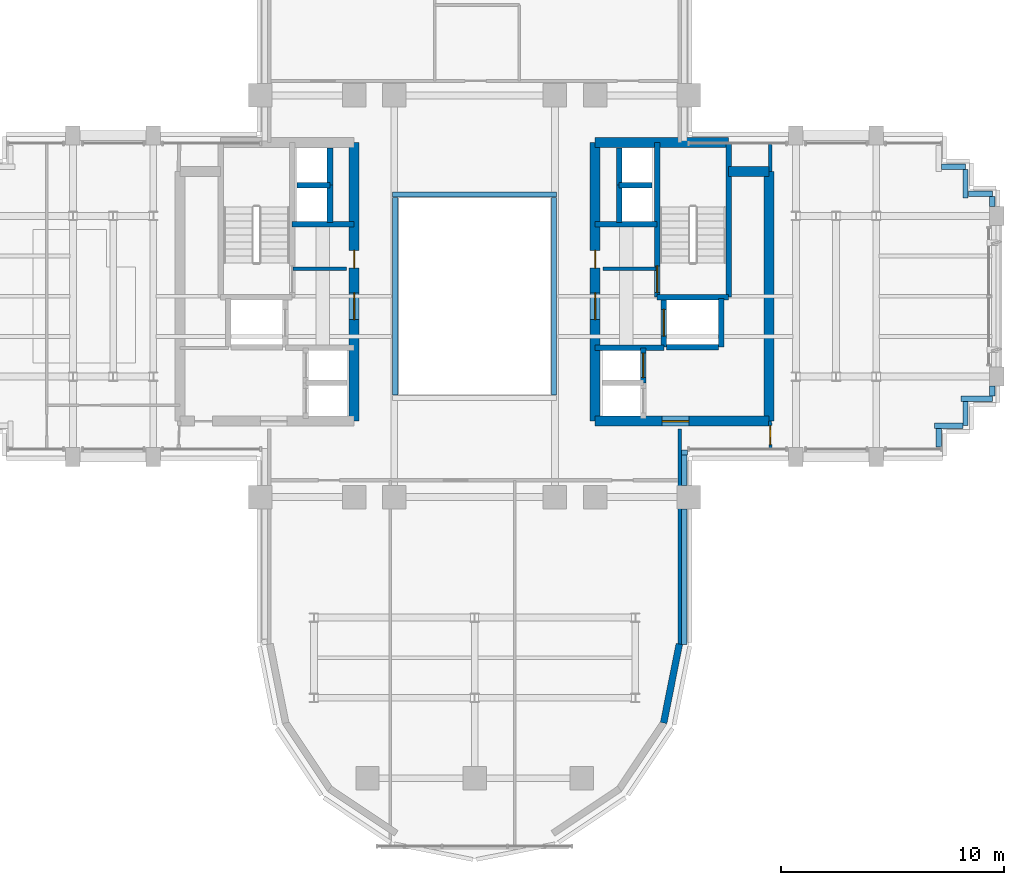
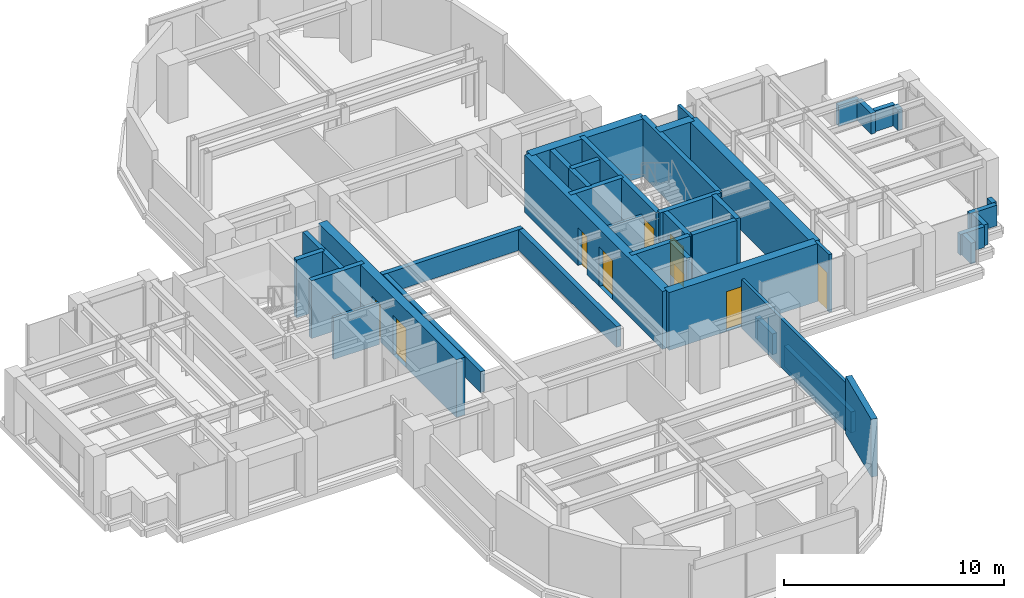
# One storey, part 9 of 13: 43 walls, 9 doors, 9 openings.
"""IFC4 building model written with IfcOpenShell, lengths in metres."""

from ifc_helpers import new_model, si_unit, direction, frame, frame_2d, origin, place, context, subcontext, project, spatial, rectangle, extrude, source, transform, mapped, material, layer, layer_set, type_object, element, fill, save


model = new_model("IFC4")

# Units and contexts
model_context = context("Model", 3, precision=1e-05, world=origin(), true_north=direction((0.0, 1.0)))
body_context = subcontext(model_context, "Body", "Model", "MODEL_VIEW")
ifc_project = project(units=[si_unit("LENGTHUNIT", "METRE"), si_unit("AREAUNIT", "SQUARE_METRE"), si_unit("VOLUMEUNIT", "CUBIC_METRE"), si_unit("PLANEANGLEUNIT", "RADIAN"), si_unit("MASSUNIT", "GRAM", prefix="KILO")], contexts=[model_context])

# Site, building, storey
site_placement = place(None, origin())
site = spatial("IfcSite", under=ifc_project, at=site_placement, CompositionType="ELEMENT")
building_placement = place(site_placement, origin())
building = spatial("IfcBuilding", under=site, at=building_placement, Name="Keilestroom Media Tower", CompositionType="ELEMENT")
storey_placement = place(building_placement, frame((0.0, 0.0, 141.39990234375)))
storey = spatial("IfcBuildingStorey", under=building, at=storey_placement, Name="L38", CompositionType="ELEMENT", Elevation=141.39990234375)

# Walls
ifc_material_1 = material(Name="Precast concrete C40/50", Category="concrete")
ifc_layer_1 = layer(ifc_material_1, 0.300048828125)
ifc_layer_set_1 = layer_set([ifc_layer_1], Name="Precast concrete C40/50")
wall_type_1 = type_object("IfcWallType", Name="Exterior-Masonry-Spandrel-Wall-300", PredefinedType="SOLIDWALL", material=ifc_layer_set_1)
wall_1_placement = place(storey_placement, frame((8.470703125, -19.12451171875, 0.0), z_axis=(0.0, 0.0, 1.0), x_axis=(0.195114232679, 0.980780523974, 0.0)))
element("IfcWall", 1, at=wall_1_placement, inside=storey, type_object=wall_type_1, Name="L38 Lobe Facet Precast Frame Wall 12", PredefinedType="SOLIDWALL", context=body_context, shape_type="SweptSolid", body=[
    extrude(rectangle(XDim=3.608642578125, YDim=0.300048828125, at=frame_2d((1.80419921875, 0.0))), origin(), (0.0, 0.0, 1.0), 3.2001953125),
])
ifc_material_2 = material(Name="Gypsum Plasterboard & Steel Stud", Category="steel")
ifc_layer_2 = layer(ifc_material_2, 0.14990234375)
ifc_layer_set_2 = layer_set([ifc_layer_2], Name="Gypsum Plasterboard & Steel Stud")
wall_type_2 = type_object("IfcWallType", Name="Interior-Partition-Wall-150", PredefinedType="PARTITIONING", material=ifc_layer_set_2)
for number, where, z_axis, x_axis, name in (
    (2, (-8.139892578125, 1.239990234375, 0.0), (0.0, 0.0, 1.0), (1.0, 0.0, 0.0), "L38 Interior Wall WP-L38-FFW-TOP"),
    (3, (5.75, 1.239990234375, 0.0), (0.0, 0.0, 1.0), (1.0, 0.0, 0.0), "L38 Interior Wall WP-L38-FFE-TOP"),
):
    element("IfcWall", number, at=place(storey_placement, frame(where, z_axis=z_axis, x_axis=x_axis)), inside=storey, type_object=wall_type_2, Name=name, PredefinedType="PARTITIONING", context=body_context, shape_type="SweptSolid", body=[
        extrude(rectangle(XDim=2.389892578125, YDim=0.14990234375, at=frame_2d((1.19482421875, 0.0))), origin(), (0.0, 0.0, 1.0), 2.300048828125),
    ])
wall_2_placement = place(storey_placement, frame((9.199951171875, -15.679931640625, 0.0), z_axis=(0.0, 0.0, 1.0), x_axis=(0.0, 1.0, 0.0)))
element("IfcWall", 4, at=wall_2_placement, inside=storey, type_object=wall_type_2, Name="L38 Interior Wall WP-L38-SL-CHKE", PredefinedType="PARTITIONING", context=body_context, shape_type="SweptSolid", body=[
    extrude(rectangle(XDim=9.739990234375, YDim=0.14990234375, at=frame_2d((4.8701171875, 0.0))), origin(), (0.0, 0.0, 1.0), 2.7001953125),
])
wall_3_placement = place(storey_placement, frame((13.260009765625, 5.60009765625, 0.0), z_axis=(0.0, 0.0, 1.0), x_axis=(-0.016013571389, 0.999871774545, 0.0)))
element("IfcWall", 5, at=wall_3_placement, inside=storey, type_object=wall_type_2, Name="L38 Interior Wall WP-L38-EA-ENTN", PredefinedType="PARTITIONING", context=body_context, shape_type="SweptSolid", body=[
    extrude(rectangle(XDim=1.250244140625, YDim=0.14990234375, at=frame_2d((0.625, 0.0))), origin(), (0.0, 0.0, 1.0), 3.2001953125),
])

# Wall, opening, door
wall_4_placement = place(storey_placement, frame((13.260009765625, -6.85009765625, 0.0), z_axis=(0.0, 0.0, 1.0), x_axis=(-0.016013571389, 0.999871774545, 0.0)))
wall_4 = element("IfcWall", 6, at=wall_4_placement, inside=storey, type_object=wall_type_2, Name="L38 Interior Wall WP-L38-EA-ENTS", PredefinedType="PARTITIONING", context=body_context, shape_type="SweptSolid", body=[
    extrude(rectangle(XDim=1.250244140625, YDim=0.14990234375, at=frame_2d((0.625, 0.0))), origin(), (0.0, 0.0, 1.0), 3.2001953125),
])
opening_1_placement = place(wall_4_placement, frame((0.199951171875, 0.0, 0.0)))
opening_1 = element("IfcOpeningElement", 7, at=opening_1_placement, cuts=wall_4, Name="Opening DI-05", PredefinedType="OPENING", context=body_context, shape_type="SweptSolid", body=[
    extrude(rectangle(XDim=0.85009765625, YDim=2.10009765625, at=frame_2d((0.425048828125, 1.050048828125))), frame((0.0, 0.0849609375, 0.0), z_axis=(0.0, -1.0, 0.0), x_axis=(1.0, 0.0, 0.0)), (0.0, 0.0, 1.0), 0.169921875),
])
ifc_material_3 = material(Name="Moisture-Resistant Oak Leaf", Category="wood")
door_type_1 = type_object("IfcDoorType", Name="Interior-En-Suite-And-Cupboard-Door-DI-05", OperationType="NOTDEFINED", PredefinedType="DOOR", material=ifc_material_3)
shared_shape_1 = source(origin(), body_context, "Body", "SweptSolid", [
    extrude(rectangle(XDim=0.85009765625, YDim=2.10009765625, at=frame_2d((0.425048828125, 1.050048828125))), frame((0.0, 0.02490234375, 0.0), z_axis=(0.0, -1.0, 0.0), x_axis=(1.0, 0.0, 0.0)), (0.0, 0.0, 1.0), 0.050048828125),
])
door_1_placement = place(opening_1_placement, origin())
door_1 = element("IfcDoor", 8, at=door_1_placement, inside=storey, type_object=door_type_1, Name="L38 Interior Door DI-L38-DEA-S", OperationType="SINGLE_SWING_LEFT", OverallHeight=2.10009765625, OverallWidth=0.85009765625, PredefinedType="DOOR", context=body_context, shape_type="MappedRepresentation", body=[
    mapped(shared_shape_1, transform((0.0, 0.0, 0.0), x_axis=(1.0, 0.0, 0.0), y_axis=(0.0, 1.0, 0.0), z_axis=(0.0, 0.0, 1.0), scale=1.0)),
])
fill(opening_1, door_1)

# Wall, openings, doors
ifc_material_4 = material(Name="Concrete C55/67", Category="concrete")
ifc_layer_3 = layer(ifc_material_4, 0.449951171875)
ifc_layer_set_3 = layer_set([ifc_layer_3], Name="Concrete C55/67")
wall_type_3 = type_object("IfcWallType", Name="Reinforced-Concrete-Core-Shear-Wall-450", PredefinedType="SHEAR", material=ifc_layer_set_3)
wall_5_placement = place(storey_placement, frame((-5.39990234375, -5.60009765625, 0.0), z_axis=(0.0, 0.0, 1.0), x_axis=(0.0, 1.0, 0.0)))
wall_5 = element("IfcWall", 9, at=wall_5_placement, inside=storey, type_object=wall_type_3, Name="L38 Core Shear Wall WL-L38-CORE-W-IN", PredefinedType="SHEAR", context=body_context, shape_type="SweptSolid", body=[
    extrude(rectangle(XDim=12.5, YDim=0.449951171875, at=frame_2d((6.25, 0.0))), origin(), (0.0, 0.0, 1.0), 3.2001953125),
])
opening_2_placement = place(wall_5_placement, frame((4.550048828125, 0.0, 0.0)))
opening_2 = element("IfcOpeningElement", 10, at=opening_2_placement, cuts=wall_5, Name="Opening DI-02", PredefinedType="OPENING", context=body_context, shape_type="SweptSolid", body=[
    extrude(rectangle(XDim=1.199951171875, YDim=2.199951171875, at=frame_2d((0.60009765625, 1.10009765625))), frame((0.0, 0.23486328125, 0.0), z_axis=(0.0, -1.0, 0.0), x_axis=(1.0, 0.0, 0.0)), (0.0, 0.0, 1.0), 0.469970703125),
])
opening_3_placement = place(wall_5_placement, frame((6.860107421875, 0.0, 0.0)))
opening_3 = element("IfcOpeningElement", 11, at=opening_3_placement, cuts=wall_5, Name="Opening DI-06", PredefinedType="OPENING", context=body_context, shape_type="SweptSolid", body=[
    extrude(rectangle(XDim=0.800048828125, YDim=2.10009765625, at=frame_2d((0.39990234375, 1.050048828125))), frame((0.0, 0.23486328125, 0.0), z_axis=(0.0, -1.0, 0.0), x_axis=(1.0, 0.0, 0.0)), (0.0, 0.0, 1.0), 0.469970703125),
])
ifc_material_5 = material(Name="Powder-Coated Steel Fire Leaf", Category="steel")
door_type_2 = type_object("IfcDoorType", Name="Interior-Compartment-Fire-Door-DI-02", OperationType="NOTDEFINED", PredefinedType="DOOR", material=ifc_material_5)
shared_shape_2 = source(origin(), body_context, "Body", "SweptSolid", [
    extrude(rectangle(XDim=1.199951171875, YDim=2.199951171875, at=frame_2d((0.60009765625, 1.10009765625))), frame((0.0, 0.02490234375, 0.0), z_axis=(0.0, -1.0, 0.0), x_axis=(1.0, 0.0, 0.0)), (0.0, 0.0, 1.0), 0.050048828125),
])
door_2_placement = place(opening_2_placement, origin())
door_2 = element("IfcDoor", 12, at=door_2_placement, inside=storey, type_object=door_type_2, Name="L38 W Firefighting Lobby Door", OperationType="SINGLE_SWING_RIGHT", OverallHeight=2.199951171875, OverallWidth=1.199951171875, PredefinedType="DOOR", context=body_context, shape_type="MappedRepresentation", body=[
    mapped(shared_shape_2, transform((0.0, 0.0, 0.0), x_axis=(1.0, 0.0, 0.0), y_axis=(0.0, 1.0, 0.0), z_axis=(0.0, 0.0, 1.0), scale=1.0)),
])
fill(opening_2, door_2)
ifc_material_6 = material(Name="Powder-Coated Steel Service Leaf", Category="steel")
door_type_3 = type_object("IfcDoorType", Name="Interior-Riser-Access-Door-DI-06", OperationType="NOTDEFINED", PredefinedType="DOOR", material=ifc_material_6)
shared_shape_3 = source(origin(), body_context, "Body", "SweptSolid", [
    extrude(rectangle(XDim=0.800048828125, YDim=2.10009765625, at=frame_2d((0.39990234375, 1.050048828125))), frame((0.0, 0.02490234375, 0.0), z_axis=(0.0, -1.0, 0.0), x_axis=(1.0, 0.0, 0.0)), (0.0, 0.0, 1.0), 0.050048828125),
])
door_3_placement = place(opening_3_placement, origin())
door_3 = element("IfcDoor", 13, at=door_3_placement, inside=storey, type_object=door_type_3, Name="L38 West Core Switchroom Door", OperationType="SINGLE_SWING_LEFT", OverallHeight=2.10009765625, OverallWidth=0.800048828125, PredefinedType="DOOR", context=body_context, shape_type="MappedRepresentation", body=[
    mapped(shared_shape_3, transform((0.0, 0.0, 0.0), x_axis=(1.0, 0.0, 0.0), y_axis=(0.0, 1.0, 0.0), z_axis=(0.0, 0.0, 1.0), scale=1.0)),
])
fill(opening_3, door_3)

# Wall
wall_6_placement = place(storey_placement, frame((13.199951171875, -5.60009765625, 0.0), z_axis=(0.0, 0.0, 1.0), x_axis=(0.0, 1.0, 0.0)))
element("IfcWall", 14, at=wall_6_placement, inside=storey, type_object=wall_type_3, Name="L38 Core Shear Wall WL-L38-CORE-E-OUT", PredefinedType="SHEAR", context=body_context, shape_type="SweptSolid", body=[
    extrude(rectangle(XDim=11.2001953125, YDim=0.449951171875, at=frame_2d((5.60009765625, 0.0))), origin(), (0.0, 0.0, 1.0), 3.2001953125),
])

# Wall, openings, doors
wall_7_placement = place(storey_placement, frame((5.39990234375, -5.60009765625, 0.0), z_axis=(0.0, 0.0, 1.0), x_axis=(0.0, 1.0, 0.0)))
wall_7 = element("IfcWall", 15, at=wall_7_placement, inside=storey, type_object=wall_type_3, Name="L38 Core Shear Wall WL-L38-CORE-E-IN", PredefinedType="SHEAR", context=body_context, shape_type="SweptSolid", body=[
    extrude(rectangle(XDim=12.5, YDim=0.449951171875, at=frame_2d((6.25, 0.0))), origin(), (0.0, 0.0, 1.0), 3.2001953125),
])
opening_4_placement = place(wall_7_placement, frame((4.550048828125, 0.0, 0.0)))
opening_4 = element("IfcOpeningElement", 16, at=opening_4_placement, cuts=wall_7, Name="Opening DI-02", PredefinedType="OPENING", context=body_context, shape_type="SweptSolid", body=[
    extrude(rectangle(XDim=1.199951171875, YDim=2.199951171875, at=frame_2d((0.60009765625, 1.10009765625))), frame((0.0, 0.23486328125, 0.0), z_axis=(0.0, -1.0, 0.0), x_axis=(1.0, 0.0, 0.0)), (0.0, 0.0, 1.0), 0.469970703125),
])
opening_5_placement = place(wall_7_placement, frame((6.860107421875, 0.0, 0.0)))
opening_5 = element("IfcOpeningElement", 17, at=opening_5_placement, cuts=wall_7, Name="Opening DI-06", PredefinedType="OPENING", context=body_context, shape_type="SweptSolid", body=[
    extrude(rectangle(XDim=0.800048828125, YDim=2.10009765625, at=frame_2d((0.39990234375, 1.050048828125))), frame((0.0, 0.23486328125, 0.0), z_axis=(0.0, -1.0, 0.0), x_axis=(1.0, 0.0, 0.0)), (0.0, 0.0, 1.0), 0.469970703125),
])
door_4_placement = place(opening_4_placement, origin())
door_4 = element("IfcDoor", 18, at=door_4_placement, inside=storey, type_object=door_type_2, Name="L38 E Firefighting Lobby Door", OperationType="SINGLE_SWING_LEFT", OverallHeight=2.199951171875, OverallWidth=1.199951171875, PredefinedType="DOOR", context=body_context, shape_type="MappedRepresentation", body=[
    mapped(shared_shape_2, transform((0.0, 0.0, 0.0), x_axis=(1.0, 0.0, 0.0), y_axis=(0.0, 1.0, 0.0), z_axis=(0.0, 0.0, 1.0), scale=1.0)),
])
fill(opening_4, door_4)
door_5_placement = place(opening_5_placement, origin())
door_5 = element("IfcDoor", 19, at=door_5_placement, inside=storey, type_object=door_type_3, Name="L38 East Core Telecom Door", OperationType="SINGLE_SWING_RIGHT", OverallHeight=2.10009765625, OverallWidth=0.800048828125, PredefinedType="DOOR", context=body_context, shape_type="MappedRepresentation", body=[
    mapped(shared_shape_3, transform((0.0, 0.0, 0.0), x_axis=(1.0, 0.0, 0.0), y_axis=(0.0, 1.0, 0.0), z_axis=(0.0, 0.0, 1.0), scale=1.0)),
])
fill(opening_5, door_5)

# Walls
wall_8_placement = place(storey_placement, frame((5.39990234375, 6.89990234375, 0.0), z_axis=(0.0, 0.0, 1.0), x_axis=(1.0, 0.0, 0.0)))
element("IfcWall", 20, at=wall_8_placement, inside=storey, type_object=wall_type_3, Name="L38 Core Shear Wall WL-L38-CORE-E-N", PredefinedType="SHEAR", context=body_context, shape_type="SweptSolid", body=[
    extrude(rectangle(XDim=5.981201171875, YDim=0.449951171875, at=frame_2d((2.99072265625, 0.0))), origin(), (0.0, 0.0, 1.0), 3.2001953125),
])
wall_9_placement = place(storey_placement, frame((11.381103515625, 5.60009765625, 0.0), z_axis=(0.0, 0.0, 1.0), x_axis=(1.0, 0.0, 0.0)))
element("IfcWall", 21, at=wall_9_placement, inside=storey, type_object=wall_type_3, Name="L38 Core Shear Wall WL-L38-CNE-N", PredefinedType="SHEAR", context=body_context, shape_type="SweptSolid", body=[
    extrude(rectangle(XDim=1.81884765625, YDim=0.449951171875, at=frame_2d((0.909423828125, 0.0))), origin(), (0.0, 0.0, 1.0), 3.2001953125),
])

# Wall, opening, door
wall_10_placement = place(storey_placement, frame((5.39990234375, -5.60009765625, 0.0), z_axis=(0.0, 0.0, 1.0), x_axis=(1.0, 0.0, 0.0)))
wall_10 = element("IfcWall", 22, at=wall_10_placement, inside=storey, type_object=wall_type_3, Name="L38 Core Shear Wall WL-L38-CORE-E-S", PredefinedType="SHEAR", context=body_context, shape_type="SweptSolid", body=[
    extrude(rectangle(XDim=7.800048828125, YDim=0.449951171875, at=frame_2d((3.89990234375, 0.0))), origin(), (0.0, 0.0, 1.0), 3.2001953125),
])
opening_6_placement = place(wall_10_placement, frame((3.0, 0.0, 0.0)))
opening_6 = element("IfcOpeningElement", 23, at=opening_6_placement, cuts=wall_10, Name="Opening DI-02", PredefinedType="OPENING", context=body_context, shape_type="SweptSolid", body=[
    extrude(rectangle(XDim=1.199951171875, YDim=2.199951171875, at=frame_2d((0.60009765625, 1.10009765625))), frame((0.0, 0.23486328125, 0.0), z_axis=(0.0, -1.0, 0.0), x_axis=(1.0, 0.0, 0.0)), (0.0, 0.0, 1.0), 0.469970703125),
])
door_6_placement = place(opening_6_placement, origin())
door_6 = element("IfcDoor", 24, at=door_6_placement, inside=storey, type_object=door_type_2, Name="L38 E Passenger Lift Lobby Door", OperationType="SINGLE_SWING_RIGHT", OverallHeight=2.199951171875, OverallWidth=1.199951171875, PredefinedType="DOOR", context=body_context, shape_type="MappedRepresentation", body=[
    mapped(shared_shape_2, transform((0.0, 0.0, 0.0), x_axis=(1.0, 0.0, 0.0), y_axis=(0.0, 1.0, 0.0), z_axis=(0.0, 0.0, 1.0), scale=1.0)),
])
fill(opening_6, door_6)

# Walls
ifc_material_7 = material(Name="Concrete C50/60", Category="concrete")
ifc_layer_4 = layer(ifc_material_7, 0.25)
ifc_layer_set_4 = layer_set([ifc_layer_4], Name="Concrete C50/60")
wall_type_4 = type_object("IfcWallType", Name="Reinforced-Concrete-Shaft-Wall-250", PredefinedType="SOLIDWALL", material=ifc_layer_set_4)
for number, where, z_axis, x_axis, name in (
    (25, (-8.179931640625, 3.219970703125, 0.0), (0.0, 0.0, 1.0), (1.0, 0.0, 0.0), "L38 Core Shear Wall WL-L38-CORE-W-FFN"),
    (26, (5.39990234375, 3.219970703125, 0.0), (0.0, 0.0, 1.0), (1.0, 0.0, 0.0), "L38 Core Shear Wall WL-L38-CORE-E-FFN"),
):
    element("IfcWall", number, at=place(storey_placement, frame(where, z_axis=z_axis, x_axis=x_axis)), inside=storey, type_object=wall_type_4, Name=name, PredefinedType="SOLIDWALL", context=body_context, shape_type="SweptSolid", body=[
        extrude(rectangle(XDim=2.780029296875, YDim=0.25, at=frame_2d((1.39013671875, 0.0))), origin(), (0.0, 0.0, 1.0), 3.2001953125),
    ])
wall_11_placement = place(storey_placement, frame((5.39990234375, -2.300048828125, 0.0), z_axis=(0.0, 0.0, 1.0), x_axis=(1.0, 0.0, 0.0)))
element("IfcWall", 27, at=wall_11_placement, inside=storey, type_object=wall_type_4, Name="L38 Core Shear Wall WL-L38-CORE-E-FFS", PredefinedType="SOLIDWALL", context=body_context, shape_type="SweptSolid", body=[
    extrude(rectangle(XDim=3.080078125, YDim=0.25, at=frame_2d((1.5400390625, 0.0))), origin(), (0.0, 0.0, 1.0), 3.2001953125),
])

# Wall, opening, door
wall_12_placement = place(storey_placement, frame((8.178955078125, -0.041015625, 0.0), z_axis=(0.0, 0.0, 1.0), x_axis=(0.0, 1.0, 0.0)))
wall_12 = element("IfcWall", 28, at=wall_12_placement, inside=storey, type_object=wall_type_4, Name="L38 Core Shear Wall WL-L38-STW-E-NEAR", PredefinedType="SOLIDWALL", context=body_context, shape_type="SweptSolid", body=[
    extrude(rectangle(XDim=6.94091796875, YDim=0.25, at=frame_2d((3.470458984375, 0.0))), origin(), (0.0, 0.0, 1.0), 3.2001953125),
])
opening_7_placement = place(wall_12_placement, frame((0.199951171875, 0.0, 0.0)))
opening_7 = element("IfcOpeningElement", 29, at=opening_7_placement, cuts=wall_12, Name="Opening DI-01S", PredefinedType="OPENING", context=body_context, shape_type="SweptSolid", body=[
    extrude(rectangle(XDim=1.199951171875, YDim=2.199951171875, at=frame_2d((0.60009765625, 1.10009765625))), frame((0.0, 0.135009765625, 0.0), z_axis=(0.0, -1.0, 0.0), x_axis=(1.0, 0.0, 0.0)), (0.0, 0.0, 1.0), 0.27001953125),
])
door_type_4 = type_object("IfcDoorType", Name="Interior-Stair-And-Core-Fire-Door-DI-01", OperationType="NOTDEFINED", PredefinedType="DOOR", material=ifc_material_5)
door_7_placement = place(opening_7_placement, origin())
door_7 = element("IfcDoor", 30, at=door_7_placement, inside=storey, type_object=door_type_4, Name="L38 Escape Stair ST-2 Fire Door", OperationType="SINGLE_SWING_RIGHT", OverallHeight=2.199951171875, OverallWidth=1.199951171875, PredefinedType="DOOR", context=body_context, shape_type="MappedRepresentation", body=[
    mapped(shared_shape_2, transform((0.0, 0.0, 0.0), x_axis=(1.0, 0.0, 0.0), y_axis=(0.0, 1.0, 0.0), z_axis=(0.0, 0.0, 1.0), scale=1.0)),
])
fill(opening_7, door_7)

# Walls
wall_13_placement = place(storey_placement, frame((11.381103515625, -0.041015625, 0.0), z_axis=(0.0, 0.0, 1.0), x_axis=(0.0, 1.0, 0.0)))
element("IfcWall", 31, at=wall_13_placement, inside=storey, type_object=wall_type_4, Name="L38 Core Shear Wall WL-L38-STW-E-FAR", PredefinedType="SOLIDWALL", context=body_context, shape_type="SweptSolid", body=[
    extrude(rectangle(XDim=6.94091796875, YDim=0.25, at=frame_2d((3.470458984375, 0.0))), origin(), (0.0, 0.0, 1.0), 3.2001953125),
])
wall_14_placement = place(storey_placement, frame((8.178955078125, -0.041015625, 0.0), z_axis=(0.0, 0.0, 1.0), x_axis=(1.0, 0.0, 0.0)))
element("IfcWall", 32, at=wall_14_placement, inside=storey, type_object=wall_type_4, Name="L38 Core Shear Wall WL-L38-STW-E-S", PredefinedType="SOLIDWALL", context=body_context, shape_type="SweptSolid", body=[
    extrude(rectangle(XDim=3.2021484375, YDim=0.25, at=frame_2d((1.60107421875, 0.0))), origin(), (0.0, 0.0, 1.0), 3.2001953125),
])

# Wall, opening, door
wall_15_placement = place(storey_placement, frame((8.47998046875, -2.280029296875, 0.0), z_axis=(0.0, 0.0, 1.0), x_axis=(0.0, 1.0, 0.0)))
wall_15 = element("IfcWall", 33, at=wall_15_placement, inside=storey, type_object=wall_type_4, Name="L38 Core Shear Wall WL-L38-LSH-FFL-2-W", PredefinedType="SOLIDWALL", context=body_context, shape_type="SweptSolid", body=[
    extrude(rectangle(XDim=2.179931640625, YDim=0.25, at=frame_2d((1.08984375, 0.0))), origin(), (0.0, 0.0, 1.0), 3.2001953125),
])
opening_8_placement = place(wall_15_placement, frame((0.489990234375, 0.0, 0.0)))
opening_8 = element("IfcOpeningElement", 34, at=opening_8_placement, cuts=wall_15, Name="Opening LD-02", PredefinedType="OPENING", context=body_context, shape_type="SweptSolid", body=[
    extrude(rectangle(XDim=1.199951171875, YDim=2.199951171875, at=frame_2d((0.60009765625, 1.10009765625))), frame((0.0, 0.135009765625, 0.0), z_axis=(0.0, -1.0, 0.0), x_axis=(1.0, 0.0, 0.0)), (0.0, 0.0, 1.0), 0.27001953125),
])
ifc_material_8 = material(Name="Brushed Stainless Steel Sliding Leaf", Category="steel")
door_type_5 = type_object("IfcDoorType", Name="Lift-Landing-Sliding-Door-LD-02", OperationType="SLIDING_TO_RIGHT", PredefinedType="DOOR", material=ifc_material_8)
door_8_placement = place(opening_8_placement, origin())
door_8 = element("IfcDoor", 35, at=door_8_placement, inside=storey, type_object=door_type_5, Name="L38 Lift FFL-2 Landing Sliding Door", OperationType="SLIDING_TO_RIGHT", OverallHeight=2.199951171875, OverallWidth=1.199951171875, PredefinedType="DOOR", context=body_context, shape_type="MappedRepresentation", body=[
    mapped(shared_shape_2, transform((0.0, 0.0, 0.0), x_axis=(1.0, 0.0, 0.0), y_axis=(0.0, 1.0, 0.0), z_axis=(0.0, 0.0, 1.0), scale=1.0)),
])
fill(opening_8, door_8)

# Walls
wall_16_placement = place(storey_placement, frame((11.050048828125, -2.280029296875, 0.0), z_axis=(0.0, 0.0, 1.0), x_axis=(0.0, 1.0, 0.0)))
element("IfcWall", 36, at=wall_16_placement, inside=storey, type_object=wall_type_4, Name="L38 Core Shear Wall WL-L38-LSH-FFL-2-E", PredefinedType="SOLIDWALL", context=body_context, shape_type="SweptSolid", body=[
    extrude(rectangle(XDim=2.179931640625, YDim=0.25, at=frame_2d((1.08984375, 0.0))), origin(), (0.0, 0.0, 1.0), 3.2001953125),
])
wall_17_placement = place(storey_placement, frame((8.60888671875, -2.280029296875, 0.0), z_axis=(0.0, 0.0, 1.0), x_axis=(1.0, 0.0, 0.0)))
element("IfcWall", 37, at=wall_17_placement, inside=storey, type_object=wall_type_4, Name="L38 Core Shear Wall WL-L38-LSH-FFL-2-S", PredefinedType="SOLIDWALL", context=body_context, shape_type="SweptSolid", body=[
    extrude(rectangle(XDim=2.31201171875, YDim=0.25, at=frame_2d((1.156005859375, 0.0))), origin(), (0.0, 0.0, 1.0), 3.2001953125),
])

# Wall, opening, door
wall_18_placement = place(storey_placement, frame((7.56005859375, -3.8798828125, 0.0), z_axis=(0.0, 0.0, 1.0), x_axis=(0.0, 1.0, 0.0)))
wall_18 = element("IfcWall", 38, at=wall_18_placement, inside=storey, type_object=wall_type_4, Name="L38 Core Shear Wall WL-L38-LSH-PL-M4-E", PredefinedType="SOLIDWALL", context=body_context, shape_type="SweptSolid", body=[
    extrude(rectangle(XDim=1.559814453125, YDim=0.25, at=frame_2d((0.77978515625, 0.0))), origin(), (0.0, 0.0, 1.0), 3.2001953125),
])
opening_9_placement = place(wall_18_placement, frame((0.22998046875, 0.0, 0.0)))
opening_9 = element("IfcOpeningElement", 39, at=opening_9_placement, cuts=wall_18, Name="Opening LD-01", PredefinedType="OPENING", context=body_context, shape_type="SweptSolid", body=[
    extrude(rectangle(XDim=1.10009765625, YDim=2.199951171875, at=frame_2d((0.550048828125, 1.10009765625))), frame((0.0, 0.135009765625, 0.0), z_axis=(0.0, -1.0, 0.0), x_axis=(1.0, 0.0, 0.0)), (0.0, 0.0, 1.0), 0.27001953125),
])
door_type_6 = type_object("IfcDoorType", Name="Lift-Landing-Sliding-Door-LD-01", OperationType="SLIDING_TO_LEFT", PredefinedType="DOOR", material=ifc_material_8)
shared_shape_4 = source(origin(), body_context, "Body", "SweptSolid", [
    extrude(rectangle(XDim=1.10009765625, YDim=2.199951171875, at=frame_2d((0.550048828125, 1.10009765625))), frame((0.0, 0.02490234375, 0.0), z_axis=(0.0, -1.0, 0.0), x_axis=(1.0, 0.0, 0.0)), (0.0, 0.0, 1.0), 0.050048828125),
])
door_9_placement = place(opening_9_placement, origin())
door_9 = element("IfcDoor", 40, at=door_9_placement, inside=storey, type_object=door_type_6, Name="L38 Lift PL-M4 Landing Sliding Door", OperationType="SLIDING_TO_LEFT", OverallHeight=2.199951171875, OverallWidth=1.10009765625, PredefinedType="DOOR", context=body_context, shape_type="MappedRepresentation", body=[
    mapped(shared_shape_4, transform((0.0, 0.0, 0.0), x_axis=(1.0, 0.0, 0.0), y_axis=(0.0, 1.0, 0.0), z_axis=(0.0, 0.0, 1.0), scale=1.0)),
])
fill(opening_9, door_9)

# Walls
wall_19_placement = place(storey_placement, frame((-6.47998046875, 3.300048828125, 0.0), z_axis=(0.0, 0.0, 1.0), x_axis=(0.0, 1.0, 0.0)))
element("IfcWall", 41, at=wall_19_placement, inside=storey, type_object=wall_type_4, Name="L38 Core Shear Wall WL-L38-LSH-PL-H1-E", PredefinedType="SOLIDWALL", context=body_context, shape_type="SweptSolid", body=[
    extrude(rectangle(XDim=1.679931640625, YDim=0.25, at=frame_2d((0.83984375, 0.0))), origin(), (0.0, 0.0, 1.0), 3.2001953125),
])
wall_20_placement = place(storey_placement, frame((-7.949951171875, 4.97998046875, 0.0), z_axis=(0.0, 0.0, 1.0), x_axis=(1.0, 0.0, 0.0)))
element("IfcWall", 42, at=wall_20_placement, inside=storey, type_object=wall_type_4, Name="L38 Core Shear Wall WL-L38-LSH-PL-H1-N", PredefinedType="SOLIDWALL", context=body_context, shape_type="SweptSolid", body=[
    extrude(rectangle(XDim=1.469970703125, YDim=0.25, at=frame_2d((0.73486328125, 0.0))), origin(), (0.0, 0.0, 1.0), 3.2001953125),
])
wall_21_placement = place(storey_placement, frame((-6.47998046875, 4.97998046875, 0.0), z_axis=(0.0, 0.0, 1.0), x_axis=(0.0, 1.0, 0.0)))
element("IfcWall", 43, at=wall_21_placement, inside=storey, type_object=wall_type_4, Name="L38 Core Shear Wall WL-L38-LSH-PL-H2-E", PredefinedType="SOLIDWALL", context=body_context, shape_type="SweptSolid", body=[
    extrude(rectangle(XDim=1.669921875, YDim=0.25, at=frame_2d((0.8349609375, 0.0))), origin(), (0.0, 0.0, 1.0), 3.2001953125),
])
wall_22_placement = place(storey_placement, frame((6.47998046875, 3.300048828125, 0.0), z_axis=(0.0, 0.0, 1.0), x_axis=(0.0, 1.0, 0.0)))
element("IfcWall", 44, at=wall_22_placement, inside=storey, type_object=wall_type_4, Name="L38 Core Shear Wall WL-L38-LSH-PL-H3-W", PredefinedType="SOLIDWALL", context=body_context, shape_type="SweptSolid", body=[
    extrude(rectangle(XDim=1.679931640625, YDim=0.25, at=frame_2d((0.83984375, 0.0))), origin(), (0.0, 0.0, 1.0), 3.2001953125),
])
wall_23_placement = place(storey_placement, frame((6.47998046875, 4.97998046875, 0.0), z_axis=(0.0, 0.0, 1.0), x_axis=(1.0, 0.0, 0.0)))
element("IfcWall", 45, at=wall_23_placement, inside=storey, type_object=wall_type_4, Name="L38 Core Shear Wall WL-L38-LSH-PL-H3-N", PredefinedType="SOLIDWALL", context=body_context, shape_type="SweptSolid", body=[
    extrude(rectangle(XDim=1.469970703125, YDim=0.25, at=frame_2d((0.73486328125, 0.0))), origin(), (0.0, 0.0, 1.0), 3.2001953125),
])
wall_24_placement = place(storey_placement, frame((6.47998046875, 4.97998046875, 0.0), z_axis=(0.0, 0.0, 1.0), x_axis=(0.0, 1.0, 0.0)))
element("IfcWall", 46, at=wall_24_placement, inside=storey, type_object=wall_type_4, Name="L38 Core Shear Wall WL-L38-LSH-PL-H4-W", PredefinedType="SOLIDWALL", context=body_context, shape_type="SweptSolid", body=[
    extrude(rectangle(XDim=1.669921875, YDim=0.25, at=frame_2d((0.8349609375, 0.0))), origin(), (0.0, 0.0, 1.0), 3.2001953125),
])
ifc_layer_5 = layer(ifc_material_1, 0.239990234375)
ifc_layer_set_5 = layer_set([ifc_layer_5], Name="Precast concrete C40/50")
wall_type_5 = type_object("IfcWallType", Name="Roof-And-Terrace-Parapet-Wall-240", PredefinedType="PARAPET", material=ifc_layer_set_5)
wall_25_placement = place(storey_placement, frame((23.199951171875, -4.60009765625, 0.0), z_axis=(0.0, 0.0, 1.0), x_axis=(-1.0, 0.0, 0.0)))
element("IfcWall", 47, at=wall_25_placement, inside=storey, type_object=wall_type_5, Name="L38 Perimeter Edge Parapet Wall 01", PredefinedType="PARAPET", context=body_context, shape_type="SweptSolid", body=[
    extrude(rectangle(XDim=1.39990234375, YDim=0.239990234375, at=frame_2d((0.699951171875, 0.0))), origin(), (0.0, 0.0, 1.0), 1.150146484375),
])
wall_26_placement = place(storey_placement, frame((22.0, -4.722900390625, 0.0), z_axis=(0.0, 0.0, 1.0), x_axis=(0.0, -1.0, 0.0)))
element("IfcWall", 48, at=wall_26_placement, inside=storey, type_object=wall_type_5, Name="L38 Perimeter Edge Parapet Wall 02", PredefinedType="PARAPET", context=body_context, shape_type="SweptSolid", body=[
    extrude(rectangle(XDim=1.0771484375, YDim=0.239990234375, at=frame_2d((0.53857421875, 0.0))), origin(), (0.0, 0.0, 1.0), 1.150146484375),
])
wall_27_placement = place(storey_placement, frame((21.876953125, -5.800048828125, 0.0), z_axis=(0.0, 0.0, 1.0), x_axis=(-1.0, 0.0, 0.0)))
element("IfcWall", 49, at=wall_27_placement, inside=storey, type_object=wall_type_5, Name="L38 Perimeter Edge Parapet Wall 03", PredefinedType="PARAPET", context=body_context, shape_type="SweptSolid", body=[
    extrude(rectangle(XDim=1.27685546875, YDim=0.239990234375, at=frame_2d((0.638427734375, 0.0))), origin(), (0.0, 0.0, 1.0), 1.150146484375),
])
wall_28_placement = place(storey_placement, frame((20.800048828125, -5.923095703125, 0.0), z_axis=(0.0, 0.0, 1.0), x_axis=(0.0, -1.0, 0.0)))
element("IfcWall", 50, at=wall_28_placement, inside=storey, type_object=wall_type_5, Name="L38 Perimeter Edge Parapet Wall 04", PredefinedType="PARAPET", context=body_context, shape_type="SweptSolid", body=[
    extrude(rectangle(XDim=0.833984375, YDim=0.239990234375, at=frame_2d((0.4169921875, 0.0))), origin(), (0.0, 0.0, 1.0), 1.150146484375),
])
wall_29_placement = place(storey_placement, frame((9.547119140625, -7.0, 0.0), z_axis=(0.0, 0.0, 1.0), x_axis=(-1.0, 0.0, 0.0)))
element("IfcWall", 51, at=wall_29_placement, inside=storey, type_object=wall_type_5, Name="L38 Perimeter Edge Parapet Wall 05", PredefinedType="PARAPET", context=body_context, shape_type="SweptSolid", body=[
    extrude(rectangle(XDim=0.26904296875, YDim=0.239990234375, at=frame_2d((0.134521484375, 0.0))), origin(), (0.0, 0.0, 1.0), 1.150146484375),
])
wall_30_placement = place(storey_placement, frame((9.39990234375, -7.123046875, 0.0), z_axis=(0.0, 0.0, 1.0), x_axis=(0.0, -1.0, 0.0)))
element("IfcWall", 52, at=wall_30_placement, inside=storey, type_object=wall_type_5, Name="L38 Perimeter Edge Parapet Wall 06", PredefinedType="PARAPET", context=body_context, shape_type="SweptSolid", body=[
    extrude(rectangle(XDim=1.348876953125, YDim=0.239990234375, at=frame_2d((0.67431640625, 0.0))), origin(), (0.0, 0.0, 1.0), 1.150146484375),
])
wall_31_placement = place(storey_placement, frame((9.39990234375, -9.528076171875, 0.0), z_axis=(0.0, 0.0, 1.0), x_axis=(0.0, -1.0, 0.0)))
element("IfcWall", 53, at=wall_31_placement, inside=storey, type_object=wall_type_5, Name="L38 Perimeter Edge Parapet Wall 07", PredefinedType="PARAPET", context=body_context, shape_type="SweptSolid", body=[
    extrude(rectangle(XDim=6.07470703125, YDim=0.239990234375, at=frame_2d((3.037353515625, 0.0))), origin(), (0.0, 0.0, 1.0), 1.150146484375),
])
wall_32_placement = place(storey_placement, frame((20.923095703125, 5.800048828125, 0.0), z_axis=(0.0, 0.0, 1.0), x_axis=(1.0, 0.0, 0.0)))
element("IfcWall", 54, at=wall_32_placement, inside=storey, type_object=wall_type_5, Name="L38 Perimeter Edge Parapet Wall 27", PredefinedType="PARAPET", context=body_context, shape_type="SweptSolid", body=[
    extrude(rectangle(XDim=1.076904296875, YDim=0.239990234375, at=frame_2d((0.53857421875, 0.0))), origin(), (0.0, 0.0, 1.0), 1.150146484375),
])
wall_33_placement = place(storey_placement, frame((22.0, 5.677001953125, 0.0), z_axis=(0.0, 0.0, 1.0), x_axis=(0.0, -1.0, 0.0)))
element("IfcWall", 55, at=wall_33_placement, inside=storey, type_object=wall_type_5, Name="L38 Perimeter Edge Parapet Wall 28", PredefinedType="PARAPET", context=body_context, shape_type="SweptSolid", body=[
    extrude(rectangle(XDim=1.277099609375, YDim=0.239990234375, at=frame_2d((0.638671875, 0.0))), origin(), (0.0, 0.0, 1.0), 1.150146484375),
])
wall_34_placement = place(storey_placement, frame((22.123046875, 4.60009765625, 0.0), z_axis=(0.0, 0.0, 1.0), x_axis=(1.0, 0.0, 0.0)))
element("IfcWall", 56, at=wall_34_placement, inside=storey, type_object=wall_type_5, Name="L38 Perimeter Edge Parapet Wall 29", PredefinedType="PARAPET", context=body_context, shape_type="SweptSolid", body=[
    extrude(rectangle(XDim=1.076904296875, YDim=0.239990234375, at=frame_2d((0.53857421875, 0.0))), origin(), (0.0, 0.0, 1.0), 1.150146484375),
])
for number, where, z_axis, x_axis, name in (
    (57, (23.199951171875, 4.47705078125, 0.0), (0.0, 0.0, 1.0), (0.0, -1.0, 0.0), "L38 Perimeter Edge Parapet Wall 30"),
    (58, (23.199951171875, -4.028076171875, 0.0), (0.0, 0.0, 1.0), (0.0, -1.0, 0.0), "L38 Perimeter Edge Parapet Wall 31"),
):
    element("IfcWall", number, at=place(storey_placement, frame(where, z_axis=z_axis, x_axis=x_axis)), inside=storey, type_object=wall_type_5, Name=name, PredefinedType="PARAPET", context=body_context, shape_type="SweptSolid", body=[
        extrude(rectangle(XDim=0.448974609375, YDim=0.239990234375, at=frame_2d((0.224609375, 0.0))), origin(), (0.0, 0.0, 1.0), 1.150146484375),
    ])
wall_35_placement = place(storey_placement, frame((-3.679931640625, 4.56005859375, 0.0), z_axis=(0.0, 0.0, 1.0), x_axis=(1.0, 0.0, 0.0)))
element("IfcWall", 59, at=wall_35_placement, inside=storey, type_object=wall_type_5, Name="L38 Central Atrium Guard Parapet N", PredefinedType="PARAPET", context=body_context, shape_type="SweptSolid", body=[
    extrude(rectangle(XDim=7.35986328125, YDim=0.239990234375, at=frame_2d((3.679931640625, 0.0))), origin(), (0.0, 0.0, 1.0), 1.150146484375),
])
for number, where, z_axis, x_axis, name in (
    (60, (-3.56005859375, -4.43505859375, 0.0), (0.0, 0.0, 1.0), (0.0, 1.0, 0.0), "L38 Central Atrium Guard Parapet W"),
    (61, (3.56005859375, -4.43505859375, 0.0), (0.0, 0.0, 1.0), (0.0, 1.0, 0.0), "L38 Central Atrium Guard Parapet E"),
):
    element("IfcWall", number, at=place(storey_placement, frame(where, z_axis=z_axis, x_axis=x_axis)), inside=storey, type_object=wall_type_5, Name=name, PredefinedType="PARAPET", context=body_context, shape_type="SweptSolid", body=[
        extrude(rectangle(XDim=8.8701171875, YDim=0.239990234375, at=frame_2d((4.43505859375, 0.0))), origin(), (0.0, 0.0, 1.0), 1.150146484375),
    ])

save(model, "model.ifc")
